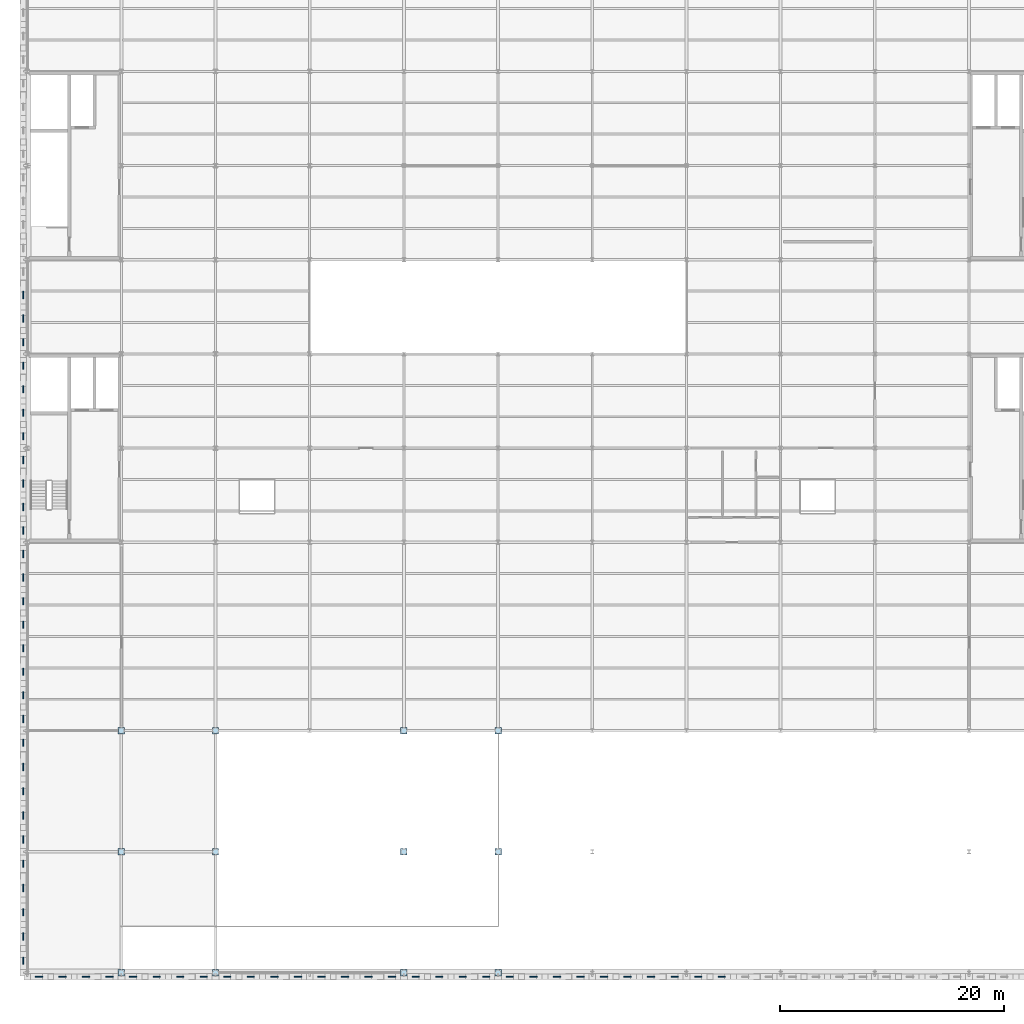
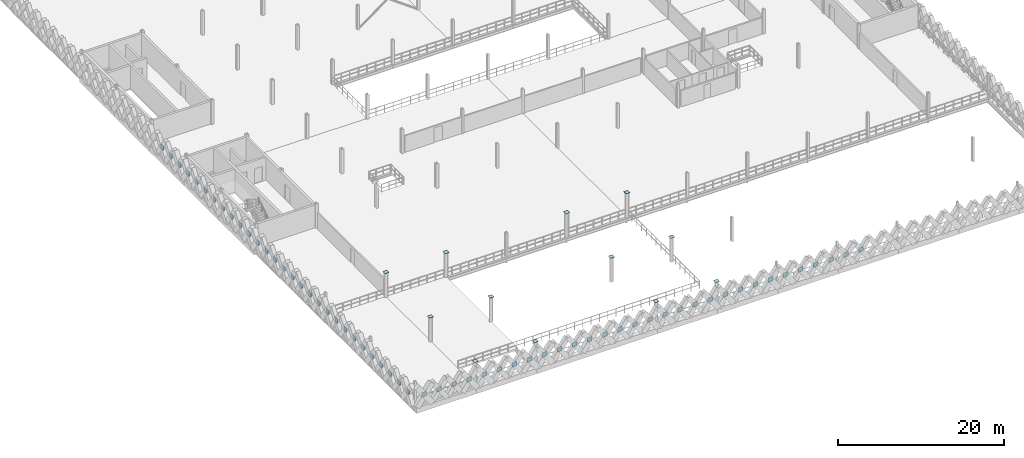
# One storey, part 32 of 47: 71 plates.
"""IFC4 building model written with IfcOpenShell, lengths in metres."""

from ifc_helpers import new_model, si_unit, direction, frame, origin, origin_2d, place, context, subcontext, project, spatial, rectangle, extrude, material, layer, layer_set, type_object, element, save


model = new_model("IFC4")

# Units and contexts
model_context = context("Model", 3, precision=1e-05, world=origin(), true_north=direction((0.0, 1.0)))
body_context = subcontext(model_context, "Body", "Model", "MODEL_VIEW")
ifc_project = project(units=[si_unit("LENGTHUNIT", "METRE"), si_unit("AREAUNIT", "SQUARE_METRE"), si_unit("VOLUMEUNIT", "CUBIC_METRE"), si_unit("PLANEANGLEUNIT", "RADIAN"), si_unit("MASSUNIT", "GRAM", prefix="KILO"), si_unit("THERMODYNAMICTEMPERATUREUNIT", "KELVIN"), si_unit("POWERUNIT", "WATT")], contexts=[model_context])

# Site, building, storey
site_placement = place(None, origin())
site = spatial("IfcSite", under=ifc_project, at=site_placement, CompositionType="ELEMENT")
building_placement = place(site_placement, origin())
building = spatial("IfcBuilding", under=site, at=building_placement, Name="Tembeka Court Mobility Hub", CompositionType="ELEMENT")
storey_placement = place(building_placement, frame((0.0, 0.0, 19.800048828125)))
storey = spatial("IfcBuildingStorey", under=building, at=storey_placement, Name="L05", CompositionType="ELEMENT", Elevation=19.800048828125)

# Plates
ifc_material_1 = material(Name="Steel S355", Category="steel")
ifc_layer_1 = layer(ifc_material_1, 0.01806640625)
ifc_layer_set_1 = layer_set([ifc_layer_1], Name="Steel S355")
plate_type_1 = type_object("IfcPlateType", Name="PL-MCP01", PredefinedType="USERDEFINED", material=ifc_layer_set_1)
for number, where, z_axis, x_axis, name in (
    (1, (8.39990234375, 0.0, 3.598876953125), (0.0, 0.0, 1.0), (1.0, 0.0, 0.0), "Hollow column C08 top cap plate MCP01-013"),
    (2, (8.39990234375, 10.800048828125, 3.598876953125), (0.0, 0.0, 1.0), (1.0, 0.0, 0.0), "Hollow column C08 top cap plate MCP01-014"),
    (3, (8.39990234375, 21.60009765625, 3.598876953125), (0.0, 0.0, 1.0), (1.0, 0.0, 0.0), "Hollow column C08 top cap plate MCP01-015"),
    (4, (16.800048828125, 0.0, 3.598876953125), (0.0, 0.0, 1.0), (1.0, 0.0, 0.0), "Hollow column C08 top cap plate MCP01-025"),
    (5, (16.800048828125, 10.800048828125, 3.598876953125), (0.0, 0.0, 1.0), (1.0, 0.0, 0.0), "Hollow column C08 top cap plate MCP01-026"),
    (6, (16.800048828125, 21.60009765625, 3.598876953125), (0.0, 0.0, 1.0), (1.0, 0.0, 0.0), "Hollow column C08 top cap plate MCP01-027"),
    (7, (33.60009765625, 0.0, 3.598876953125), (0.0, 0.0, 1.0), (1.0, 0.0, 0.0), "Hollow column C08 top cap plate MCP01-047"),
    (8, (33.60009765625, 10.800048828125, 3.598876953125), (0.0, 0.0, 1.0), (1.0, 0.0, 0.0), "Hollow column C08 top cap plate MCP01-048"),
    (9, (33.60009765625, 21.60009765625, 3.598876953125), (0.0, 0.0, 1.0), (1.0, 0.0, 0.0), "Hollow column C08 top cap plate MCP01-049"),
    (10, (42.0, 0.0, 3.598876953125), (0.0, 0.0, 1.0), (1.0, 0.0, 0.0), "Hollow column C08 top cap plate MCP01-059"),
    (11, (42.0, 10.800048828125, 3.598876953125), (0.0, 0.0, 1.0), (1.0, 0.0, 0.0), "Hollow column C08 top cap plate MCP01-060"),
    (12, (42.0, 21.60009765625, 3.598876953125), (0.0, 0.0, 1.0), (1.0, 0.0, 0.0), "Hollow column C08 top cap plate MCP01-061"),
):
    element("IfcPlate", number, at=place(storey_placement, frame(where, z_axis=z_axis, x_axis=x_axis)), inside=storey, type_object=plate_type_1, Name=name, ObjectType="BASE PLATE", PredefinedType="USERDEFINED", context=body_context, shape_type="SweptSolid", body=[
        extrude(rectangle(XDim=0.568115234375, YDim=0.568115234375, at=origin_2d()), origin(), (0.0, 0.0, 1.0), 0.01806640625),
    ])
ifc_material_2 = material(Name="Precast concrete C45/55", Category="concrete")
ifc_layer_2 = layer(ifc_material_2, 0.090087890625)
ifc_layer_set_2 = layer_set([ifc_layer_2], Name="Precast concrete C45/55")
plate_type_2 = type_object("IfcPlateType", Name="PL-PC01", PredefinedType="SHEET", material=ifc_layer_set_2)
for number, where, z_axis, x_axis, name in (
    (13, (1.050048828125, -0.340087890625, 1.159912109375), (0.0, 0.0, 1.0), (1.0, 0.0, 0.0), "Precast diamond lattice node plate PCN01 (L05-789)"),
    (14, (3.14990234375, -0.340087890625, 1.159912109375), (0.0, 0.0, 1.0), (1.0, 0.0, 0.0), "Precast diamond lattice node plate PCN01 (L05-790)"),
    (15, (5.25, -0.340087890625, 1.159912109375), (0.0, 0.0, 1.0), (1.0, 0.0, 0.0), "Precast diamond lattice node plate PCN01 (L05-791)"),
    (16, (7.35009765625, -0.340087890625, 1.159912109375), (0.0, 0.0, 1.0), (1.0, 0.0, 0.0), "Precast diamond lattice node plate PCN01 (L05-792)"),
    (17, (9.449951171875, -0.340087890625, 1.159912109375), (0.0, 0.0, 1.0), (1.0, 0.0, 0.0), "Precast diamond lattice node plate PCN01 (L05-793)"),
    (18, (11.550048828125, -0.340087890625, 1.159912109375), (0.0, 0.0, 1.0), (1.0, 0.0, 0.0), "Precast diamond lattice node plate PCN01 (L05-794)"),
    (19, (13.64990234375, -0.340087890625, 1.159912109375), (0.0, 0.0, 1.0), (1.0, 0.0, 0.0), "Precast diamond lattice node plate PCN01 (L05-795)"),
    (20, (15.75, -0.340087890625, 1.159912109375), (0.0, 0.0, 1.0), (1.0, 0.0, 0.0), "Precast diamond lattice node plate PCN01 (L05-796)"),
    (21, (17.85009765625, -0.340087890625, 1.159912109375), (0.0, 0.0, 1.0), (1.0, 0.0, 0.0), "Precast diamond lattice node plate PCN01 (L05-797)"),
    (22, (19.949951171875, -0.340087890625, 1.159912109375), (0.0, 0.0, 1.0), (1.0, 0.0, 0.0), "Precast diamond lattice node plate PCN01 (L05-798)"),
    (23, (22.050048828125, -0.340087890625, 1.159912109375), (0.0, 0.0, 1.0), (1.0, 0.0, 0.0), "Precast diamond lattice node plate PCN01 (L05-799)"),
    (24, (24.14990234375, -0.340087890625, 1.159912109375), (0.0, 0.0, 1.0), (1.0, 0.0, 0.0), "Precast diamond lattice node plate PCN01 (L05-800)"),
    (25, (26.25, -0.340087890625, 1.159912109375), (0.0, 0.0, 1.0), (1.0, 0.0, 0.0), "Precast diamond lattice node plate PCN01 (L05-801)"),
    (26, (28.35009765625, -0.340087890625, 1.159912109375), (0.0, 0.0, 1.0), (1.0, 0.0, 0.0), "Precast diamond lattice node plate PCN01 (L05-802)"),
    (27, (30.449951171875, -0.340087890625, 1.159912109375), (0.0, 0.0, 1.0), (1.0, 0.0, 0.0), "Precast diamond lattice node plate PCN01 (L05-803)"),
    (28, (32.550048828125, -0.340087890625, 1.159912109375), (0.0, 0.0, 1.0), (1.0, 0.0, 0.0), "Precast diamond lattice node plate PCN01 (L05-804)"),
    (29, (34.64990234375, -0.340087890625, 1.159912109375), (0.0, 0.0, 1.0), (1.0, 0.0, 0.0), "Precast diamond lattice node plate PCN01 (L05-805)"),
    (30, (36.75, -0.340087890625, 1.159912109375), (0.0, 0.0, 1.0), (1.0, 0.0, 0.0), "Precast diamond lattice node plate PCN01 (L05-806)"),
    (31, (38.85009765625, -0.340087890625, 1.159912109375), (0.0, 0.0, 1.0), (1.0, 0.0, 0.0), "Precast diamond lattice node plate PCN01 (L05-807)"),
    (32, (40.949951171875, -0.340087890625, 1.159912109375), (0.0, 0.0, 1.0), (1.0, 0.0, 0.0), "Precast diamond lattice node plate PCN01 (L05-808)"),
    (33, (43.050048828125, -0.340087890625, 1.159912109375), (0.0, 0.0, 1.0), (1.0, 0.0, 0.0), "Precast diamond lattice node plate PCN01 (L05-809)"),
    (34, (45.14990234375, -0.340087890625, 1.159912109375), (0.0, 0.0, 1.0), (1.0, 0.0, 0.0), "Precast diamond lattice node plate PCN01 (L05-810)"),
    (35, (47.25, -0.340087890625, 1.159912109375), (0.0, 0.0, 1.0), (1.0, 0.0, 0.0), "Precast diamond lattice node plate PCN01 (L05-811)"),
    (36, (49.35009765625, -0.340087890625, 1.159912109375), (0.0, 0.0, 1.0), (1.0, 0.0, 0.0), "Precast diamond lattice node plate PCN01 (L05-812)"),
    (37, (51.449951171875, -0.340087890625, 1.159912109375), (0.0, 0.0, 1.0), (1.0, 0.0, 0.0), "Precast diamond lattice node plate PCN01 (L05-813)"),
    (38, (53.550048828125, -0.340087890625, 1.159912109375), (0.0, 0.0, 1.0), (1.0, 0.0, 0.0), "Precast diamond lattice node plate PCN01 (L05-814)"),
    (39, (55.64990234375, -0.340087890625, 1.159912109375), (0.0, 0.0, 1.0), (1.0, 0.0, 0.0), "Precast diamond lattice node plate PCN01 (L05-815)"),
    (40, (57.75, -0.340087890625, 1.159912109375), (0.0, 0.0, 1.0), (1.0, 0.0, 0.0), "Precast diamond lattice node plate PCN01 (L05-816)"),
    (41, (59.85009765625, -0.340087890625, 1.159912109375), (0.0, 0.0, 1.0), (1.0, 0.0, 0.0), "Precast diamond lattice node plate PCN01 (L05-817)"),
    (42, (61.949951171875, -0.340087890625, 1.159912109375), (0.0, 0.0, 1.0), (1.0, 0.0, 0.0), "Precast diamond lattice node plate PCN01 (L05-818)"),
):
    element("IfcPlate", number, at=place(storey_placement, frame(where, z_axis=z_axis, x_axis=x_axis)), inside=storey, type_object=plate_type_2, Name=name, PredefinedType="SHEET", context=body_context, shape_type="SweptSolid", body=[
        extrude(rectangle(XDim=0.64990234375, YDim=0.090087890625, at=origin_2d()), origin(), (0.0, 0.0, 1.0), 0.64990234375),
    ])
for number, where, z_axis, x_axis, name in (
    (43, (-0.340087890625, 1.080078125, 1.159912109375), (0.0, 0.0, 1.0), (1.0, 0.0, 0.0), "Precast diamond lattice node plate PCN01 (L05-877)"),
    (44, (-0.340087890625, 3.239990234375, 1.159912109375), (0.0, 0.0, 1.0), (1.0, 0.0, 0.0), "Precast diamond lattice node plate PCN01 (L05-878)"),
    (45, (-0.340087890625, 5.39990234375, 1.159912109375), (0.0, 0.0, 1.0), (1.0, 0.0, 0.0), "Precast diamond lattice node plate PCN01 (L05-879)"),
    (46, (-0.340087890625, 7.56005859375, 1.159912109375), (0.0, 0.0, 1.0), (1.0, 0.0, 0.0), "Precast diamond lattice node plate PCN01 (L05-880)"),
    (47, (-0.340087890625, 9.719970703125, 1.159912109375), (0.0, 0.0, 1.0), (1.0, 0.0, 0.0), "Precast diamond lattice node plate PCN01 (L05-881)"),
    (48, (-0.340087890625, 11.8798828125, 1.159912109375), (0.0, 0.0, 1.0), (1.0, 0.0, 0.0), "Precast diamond lattice node plate PCN01 (L05-882)"),
    (49, (-0.340087890625, 14.0400390625, 1.159912109375), (0.0, 0.0, 1.0), (1.0, 0.0, 0.0), "Precast diamond lattice node plate PCN01 (L05-883)"),
    (50, (-0.340087890625, 16.199951171875, 1.159912109375), (0.0, 0.0, 1.0), (1.0, 0.0, 0.0), "Precast diamond lattice node plate PCN01 (L05-884)"),
    (51, (-0.340087890625, 18.360107421875, 1.159912109375), (0.0, 0.0, 1.0), (1.0, 0.0, 0.0), "Precast diamond lattice node plate PCN01 (L05-885)"),
    (52, (-0.340087890625, 20.52001953125, 1.159912109375), (0.0, 0.0, 1.0), (1.0, 0.0, 0.0), "Precast diamond lattice node plate PCN01 (L05-886)"),
    (53, (-0.340087890625, 22.64990234375, 1.159912109375), (0.0, 0.0, 1.0), (1.0, 0.0, 0.0), "Precast diamond lattice node plate PCN01 (L05-887)"),
    (54, (-0.340087890625, 24.75, 1.159912109375), (0.0, 0.0, 1.0), (1.0, 0.0, 0.0), "Precast diamond lattice node plate PCN01 (L05-888)"),
    (55, (-0.340087890625, 26.85009765625, 1.159912109375), (0.0, 0.0, 1.0), (1.0, 0.0, 0.0), "Precast diamond lattice node plate PCN01 (L05-889)"),
    (56, (-0.340087890625, 28.949951171875, 1.159912109375), (0.0, 0.0, 1.0), (1.0, 0.0, 0.0), "Precast diamond lattice node plate PCN01 (L05-890)"),
    (57, (-0.340087890625, 31.050048828125, 1.159912109375), (0.0, 0.0, 1.0), (1.0, 0.0, 0.0), "Precast diamond lattice node plate PCN01 (L05-891)"),
    (58, (-0.340087890625, 33.14990234375, 1.159912109375), (0.0, 0.0, 1.0), (1.0, 0.0, 0.0), "Precast diamond lattice node plate PCN01 (L05-892)"),
    (59, (-0.340087890625, 35.25, 1.159912109375), (0.0, 0.0, 1.0), (1.0, 0.0, 0.0), "Precast diamond lattice node plate PCN01 (L05-893)"),
    (60, (-0.340087890625, 37.35009765625, 1.159912109375), (0.0, 0.0, 1.0), (1.0, 0.0, 0.0), "Precast diamond lattice node plate PCN01 (L05-894)"),
    (61, (-0.340087890625, 39.449951171875, 1.159912109375), (0.0, 0.0, 1.0), (1.0, 0.0, 0.0), "Precast diamond lattice node plate PCN01 (L05-895)"),
    (62, (-0.340087890625, 41.550048828125, 1.159912109375), (0.0, 0.0, 1.0), (1.0, 0.0, 0.0), "Precast diamond lattice node plate PCN01 (L05-896)"),
    (63, (-0.340087890625, 43.64990234375, 1.159912109375), (0.0, 0.0, 1.0), (1.0, 0.0, 0.0), "Precast diamond lattice node plate PCN01 (L05-897)"),
    (64, (-0.340087890625, 45.75, 1.159912109375), (0.0, 0.0, 1.0), (1.0, 0.0, 0.0), "Precast diamond lattice node plate PCN01 (L05-898)"),
    (65, (-0.340087890625, 47.85009765625, 1.159912109375), (0.0, 0.0, 1.0), (1.0, 0.0, 0.0), "Precast diamond lattice node plate PCN01 (L05-899)"),
    (66, (-0.340087890625, 49.949951171875, 1.159912109375), (0.0, 0.0, 1.0), (1.0, 0.0, 0.0), "Precast diamond lattice node plate PCN01 (L05-900)"),
    (67, (-0.340087890625, 52.050048828125, 1.159912109375), (0.0, 0.0, 1.0), (1.0, 0.0, 0.0), "Precast diamond lattice node plate PCN01 (L05-901)"),
    (68, (-0.340087890625, 54.14990234375, 1.159912109375), (0.0, 0.0, 1.0), (1.0, 0.0, 0.0), "Precast diamond lattice node plate PCN01 (L05-902)"),
    (69, (-0.340087890625, 56.25, 1.159912109375), (0.0, 0.0, 1.0), (1.0, 0.0, 0.0), "Precast diamond lattice node plate PCN01 (L05-903)"),
    (70, (-0.340087890625, 58.35009765625, 1.159912109375), (0.0, 0.0, 1.0), (1.0, 0.0, 0.0), "Precast diamond lattice node plate PCN01 (L05-904)"),
    (71, (-0.340087890625, 60.449951171875, 1.159912109375), (0.0, 0.0, 1.0), (1.0, 0.0, 0.0), "Precast diamond lattice node plate PCN01 (L05-905)"),
):
    element("IfcPlate", number, at=place(storey_placement, frame(where, z_axis=z_axis, x_axis=x_axis)), inside=storey, type_object=plate_type_2, Name=name, PredefinedType="SHEET", context=body_context, shape_type="SweptSolid", body=[
        extrude(rectangle(XDim=0.090087890625, YDim=0.64990234375, at=origin_2d()), origin(), (0.0, 0.0, 1.0), 0.64990234375),
    ])

save(model, "model.ifc")
